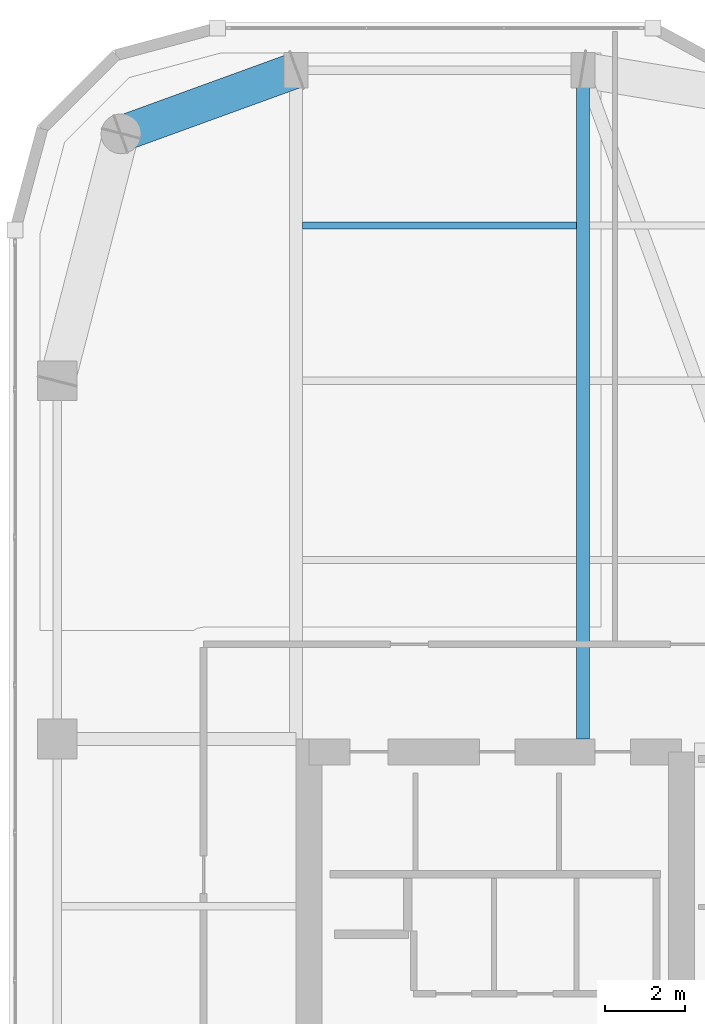
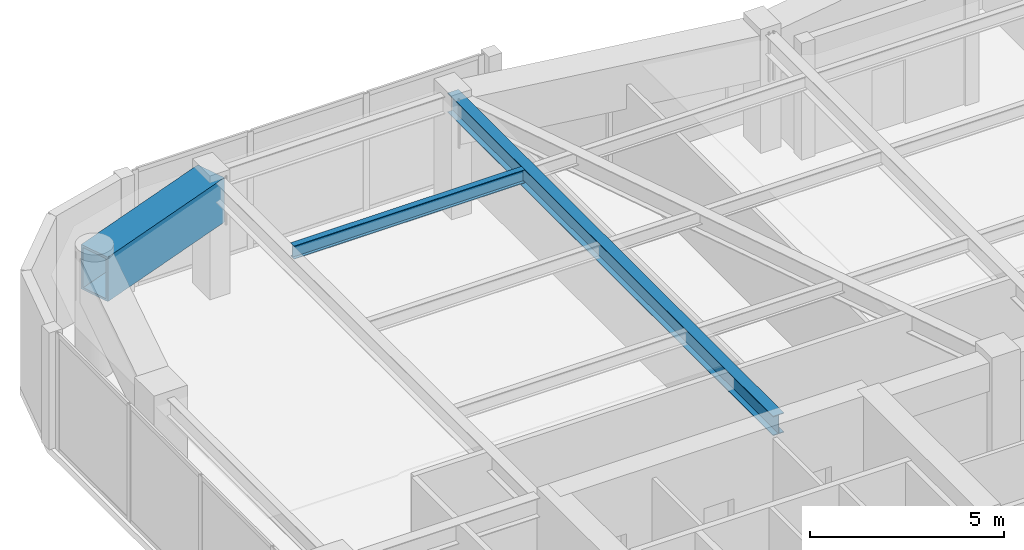
# One storey, part 9 of 21: 3 beams.
"""IFC4 building model written with IfcOpenShell, lengths in metres."""

import ifcopenshell
import ifcopenshell.guid

model = None  # the IFC model being written
_history = None  # IfcOwnerHistory: only IFC2X3 demands one
_inside = {}  # id of a spatial element -> (the spatial element, [elements in it])
_under = {}  # id of a project, library or spatial element -> (it, [spatial elements below it])
_declared = {}  # id of a project -> (the project, [libraries it declares])
_typed = {}  # id of a type object -> (the type object, [elements of that type])
_made_of = {}  # id of a material, layer set ... -> (it, [elements and type objects made of it])


def new_model(schema):
    """Start an empty IFC model of exactly this schema.

    Asked for "IFC4X3", IfcOpenShell would pick the latest addendum, in which some entities
    have other attributes; the version numbers below select the first issue.
    IFC2X3 requires an IfcOwnerHistory on every rooted entity: one is made here for all.
    """
    global model, _history
    if schema == "IFC4X3":
        model = ifcopenshell.file(schema_version=(4, 3, 0, 0))
    else:
        model = ifcopenshell.file(schema=schema)
    _inside.clear()
    _under.clear()
    _declared.clear()
    _typed.clear()
    _made_of.clear()
    _history = None
    if model.schema == "IFC2X3":
        org = make("IfcOrganization", Name="unknown")
        user = make(
            "IfcPersonAndOrganization",
            ThePerson=make("IfcPerson", FamilyName="unknown"),
            TheOrganization=org,
        )
        app = make(
            "IfcApplication",
            ApplicationDeveloper=org,
            Version="unknown",
            ApplicationFullName="unknown",
            ApplicationIdentifier="unknown",
        )
        _history = make(
            "IfcOwnerHistory",
            OwningUser=user,
            OwningApplication=app,
            ChangeAction="ADDED",
            CreationDate=0,
        )
    return model


def make(cls, **values):
    """One entity of the class cls with the attributes given. An attribute that is None is left unset."""
    return model.create_entity(
        cls, **{name: value for name, value in values.items() if value is not None}
    )


def rooted(cls, **values):
    """An entity with a GlobalId (a new one), such as an element, a storey or a relation."""
    return make(cls, GlobalId=ifcopenshell.guid.new(), OwnerHistory=_history, **values)


def si_unit(unit_type, name, prefix=None):
    """IfcSIUnit, for example si_unit("LENGTHUNIT", "METRE", prefix="MILLI")."""
    return make("IfcSIUnit", UnitType=unit_type, Prefix=prefix, Name=name)


def assignment(units):
    """IfcUnitAssignment: the units of a project."""
    return None if units is None else make("IfcUnitAssignment", Units=units)


def point(xyz):
    """IfcCartesianPoint."""
    return None if xyz is None else make("IfcCartesianPoint", Coordinates=xyz)


def direction(xyz):
    """IfcDirection."""
    return None if xyz is None else make("IfcDirection", DirectionRatios=xyz)


def frame(location, z_axis=None, x_axis=None):
    """IfcAxis2Placement3D, a coordinate frame: its origin and axes. An axis left out is left unset."""
    return make(
        "IfcAxis2Placement3D",
        Location=point(location),
        Axis=direction(z_axis),
        RefDirection=direction(x_axis),
    )


def frame_2d(location, x_axis=None):
    """IfcAxis2Placement2D, a coordinate frame in the plane: its origin and x axis."""
    return make(
        "IfcAxis2Placement2D", Location=point(location), RefDirection=direction(x_axis)
    )


def origin():
    """The frame at (0, 0, 0) with its axes left unset."""
    return frame((0.0, 0.0, 0.0))


def origin_2d():
    """The frame at (0, 0) in the plane with its x axis left unset."""
    return frame_2d((0.0, 0.0))


def place(relative_to, where):
    """IfcLocalPlacement: puts the frame where relative to a parent placement (None: the world)."""
    return make(
        "IfcLocalPlacement", PlacementRelTo=relative_to, RelativePlacement=where
    )


def context(
    kind, dimensions, precision=None, world=None, true_north=None, identifier=None
):
    """IfcGeometricRepresentationContext, for example the 3D "Model" context."""
    return make(
        "IfcGeometricRepresentationContext",
        ContextIdentifier=identifier,
        ContextType=kind,
        CoordinateSpaceDimension=dimensions,
        Precision=precision,
        WorldCoordinateSystem=world,
        TrueNorth=true_north,
    )


def subcontext(parent, identifier, kind, view, scale=None):
    """IfcGeometricRepresentationSubContext, for example "Body" below "Model"."""
    return make(
        "IfcGeometricRepresentationSubContext",
        ContextIdentifier=identifier,
        ContextType=kind,
        ParentContext=parent,
        TargetScale=scale,
        TargetView=view,
    )


def project(units=None, contexts=None):
    """IfcProject with its units and contexts."""
    return rooted(
        "IfcProject",
        Name="project",
        RepresentationContexts=contexts,
        UnitsInContext=assignment(units),
    )


def spatial(cls, under=None, at=None, **own):
    """A site, building, storey or space (cls), placed at a placement, below another one or the project."""
    s = rooted(cls, ObjectPlacement=at, **own)
    if under is not None:
        _under.setdefault(under.id(), (under, []))[1].append(s)
    return s


def profile(cls, at=None, kind="AREA", **sizes):
    """A parametric profile (cls). Its sizes go by their IFC names, for example OverallWidth=200.0."""
    return make(cls, ProfileType=kind, Position=at, **sizes)


def hollow_rectangle(**sizes):
    """IfcRectangleHollowProfileDef."""
    return profile("IfcRectangleHollowProfileDef", **sizes)


def i_section(**sizes):
    """IfcIShapeProfileDef."""
    return profile("IfcIShapeProfileDef", **sizes)


def extrude(swept, where, along, depth):
    """IfcExtrudedAreaSolid: the profile swept, set in the frame where, extruded along a direction by depth."""
    return make(
        "IfcExtrudedAreaSolid",
        SweptArea=swept,
        Position=where,
        ExtrudedDirection=direction(along),
        Depth=depth,
    )


def shape(context_of_items, identifier, shape_type, items):
    """IfcShapeRepresentation: the items that make up one representation, for example the "Body"."""
    return make(
        "IfcShapeRepresentation",
        ContextOfItems=context_of_items,
        RepresentationIdentifier=identifier,
        RepresentationType=shape_type,
        Items=items,
    )


def material(Name=None, Category=None):
    """IfcMaterial."""
    return make("IfcMaterial", Name=Name, Category=Category)


def material_profile(
    of_material, cross_section, Name=None, Category=None, Priority=None
):
    """IfcMaterialProfile: a cross section and its material."""
    return make(
        "IfcMaterialProfile",
        Name=Name,
        Material=of_material,
        Profile=cross_section,
        Priority=Priority,
        Category=Category,
    )


def profile_set(profiles, Name=None, composite=None):
    """IfcMaterialProfileSet."""
    return make(
        "IfcMaterialProfileSet",
        Name=Name,
        MaterialProfiles=profiles,
        CompositeProfile=composite,
    )


def made_of(thing, what):
    """Note that an element or type object is made of a material, layer set ...; save() writes the relation."""
    if what is not None:
        _made_of.setdefault(what.id(), (what, []))[1].append(thing)
    return thing


def type_object(cls, material=None, **own):
    """A type object (cls), such as IfcWallType, which elements share."""
    return made_of(rooted(cls, **own), material)


def element(
    cls,
    number,
    at=None,
    inside=None,
    cuts=None,
    type_object=None,
    material=None,
    context=None,
    identifier="Body",
    shape_type=None,
    held_by="IfcProductDefinitionShape",
    body=None,
    shapes=None,
    **own,
):
    """One element of the class cls, such as IfcWall. Its Tag is "e" and its number.

    at: its placement. inside: the storey or other place that contains it. cuts: it is an
    opening in that element (IfcRelVoidsElement). A single representation is given by context,
    identifier, shape_type and body (its items); several are given by shapes. held_by: the class
    of the entity that holds the representations. save() writes the other relations.
    """
    e = rooted(cls, Tag="e%d" % number, ObjectPlacement=at, **own)
    if body is not None:
        shapes = [shape(context, identifier, shape_type, body)]
    if shapes is not None:
        e.Representation = make(held_by, Representations=shapes)
    if inside is not None:
        _inside.setdefault(inside.id(), (inside, []))[1].append(e)
    if cuts is not None:
        rooted(
            "IfcRelVoidsElement", RelatingBuildingElement=cuts, RelatedOpeningElement=e
        )
    if type_object is not None:
        _typed.setdefault(type_object.id(), (type_object, []))[1].append(e)
    return made_of(e, material)


def aggregate(whole, parts):
    """IfcRelAggregates: a whole, such as a stair, and the parts it consists of."""
    return rooted("IfcRelAggregates", RelatingObject=whole, RelatedObjects=parts)


def save(model, path):
    """Write the relations noted so far, then the file.

    IfcRelAggregates (storeys below a building ...), IfcRelContainedInSpatialStructure (elements
    in a storey), IfcRelDefinesByType, IfcRelAssociatesMaterial and IfcRelDeclares: one each for
    every whole, place, type object, material and project.
    """
    for whole, parts in _under.values():
        aggregate(whole, parts)
    for where, things in _inside.values():
        rooted(
            "IfcRelContainedInSpatialStructure",
            RelatedElements=things,
            RelatingStructure=where,
        )
    for kind, things in _typed.values():
        rooted("IfcRelDefinesByType", RelatedObjects=things, RelatingType=kind)
    for what, things in _made_of.values():
        rooted("IfcRelAssociatesMaterial", RelatedObjects=things, RelatingMaterial=what)
    for by, libraries in _declared.values():
        rooted("IfcRelDeclares", RelatingContext=by, RelatedDefinitions=libraries)
    model.write(path)


model = new_model("IFC4")

# Units and contexts
model_context = context("Model", 3, precision=1e-05, world=origin(), true_north=direction((0.0, 1.0)))
body_context = subcontext(model_context, "Body", "Model", "MODEL_VIEW")
ifc_project = project(units=[si_unit("LENGTHUNIT", "METRE"), si_unit("AREAUNIT", "SQUARE_METRE"), si_unit("VOLUMEUNIT", "CUBIC_METRE"), si_unit("PLANEANGLEUNIT", "RADIAN"), si_unit("MASSUNIT", "GRAM", prefix="KILO")], contexts=[model_context])

# Site, building, storey
site_placement = place(None, origin())
site = spatial("IfcSite", under=ifc_project, at=site_placement, CompositionType="ELEMENT")
building_placement = place(site_placement, origin())
building = spatial("IfcBuilding", under=site, at=building_placement, Name="Kiyonajd Concourse Tower", CompositionType="ELEMENT")
storey_placement = place(building_placement, frame((0.0, 0.0, 247.199951171875)))
storey = spatial("IfcBuildingStorey", under=building, at=storey_placement, Name="L62", CompositionType="ELEMENT", Elevation=247.199951171875)

# Beams
ifc_material_1 = material(Name="Steel ASTM A992 Grade 50", Category="steel")
ifc_material_profile_1 = material_profile(ifc_material_1, i_section(OverallWidth=0.180908203125, OverallDepth=0.4169921875, WebThickness=0.010986328125, FlangeThickness=0.018310546875, at=origin_2d()), Name="W410X85")
ifc_profile_set_1 = profile_set([ifc_material_profile_1], Name="Steel ASTM A992 Grade 50")
beam_type_1 = type_object("IfcBeamType", Name="BM-JST-410", PredefinedType="JOIST", material=ifc_profile_set_1)
beam_1_placement = place(storey_placement, frame((32.56201171875, 57.300048828125, 3.471435546875), z_axis=(1.0, 0.0, 0.0), x_axis=(0.0, 1.0, 0.0)))
element("IfcBeam", 1, at=beam_1_placement, inside=storey, type_object=beam_type_1, Name="L62 Secondary Floor Joist", PredefinedType="JOIST", context=body_context, shape_type="SweptSolid", body=[
    extrude(i_section(OverallWidth=0.180908203125, OverallDepth=0.4169921875, WebThickness=0.010986328125, FlangeThickness=0.018310546875, at=origin_2d()), origin(), (0.0, 0.0, 1.0), 6.8759765625),
])
ifc_material_profile_2 = material_profile(ifc_material_1, i_section(OverallWidth=0.323974609375, OverallDepth=0.611083984375, WebThickness=0.0126953125, FlangeThickness=0.01904296875, at=origin_2d()), Name="W610X155")
ifc_profile_set_2 = profile_set([ifc_material_profile_2], Name="Steel ASTM A992 Grade 50")
beam_type_2 = type_object("IfcBeamType", Name="BM-TWR-610B", PredefinedType="BEAM", material=ifc_profile_set_2)
beam_2_placement = place(storey_placement, frame((39.60009765625, 44.39990234375, 3.37451171875), z_axis=(0.0, 1.0, 0.0), x_axis=(-1.0, 0.0, 0.0)))
element("IfcBeam", 2, at=beam_2_placement, inside=storey, type_object=beam_type_2, Name="L62 North Lease Girder", PredefinedType="BEAM", context=body_context, shape_type="SweptSolid", body=[
    extrude(i_section(OverallWidth=0.323974609375, OverallDepth=0.611083984375, WebThickness=0.0126953125, FlangeThickness=0.01904296875, at=origin_2d()), origin(), (0.0, 0.0, 1.0), 16.800048828125),
])
ifc_material_2 = material(Name="Steel ASTM A572 Grade 50", Category="steel")
ifc_material_profile_3 = material_profile(ifc_material_2, hollow_rectangle(XDim=0.89990234375, YDim=1.39990234375, WallThickness=0.070068359375, at=origin_2d()), Name="BOX-1400x900x70")
ifc_profile_set_3 = profile_set([ifc_material_profile_3], Name="Steel ASTM A572 Grade 50")
beam_type_3 = type_object("IfcBeamType", Name="BM-XFER-1400", PredefinedType="BEAM", material=ifc_profile_set_3)
beam_3_placement = place(storey_placement, frame((32.39990234375, 61.199951171875, 2.97998046875), z_axis=(-0.939801036019, -0.341722127901, 0.0), x_axis=(0.341722127901, -0.939801036019, 0.0)))
element("IfcBeam", 3, at=beam_3_placement, inside=storey, type_object=beam_type_3, Name="L62 Perimeter Bundled Tube Spandrel", PredefinedType="BEAM", context=body_context, shape_type="SweptSolid", body=[
    extrude(hollow_rectangle(XDim=0.89990234375, YDim=1.39990234375, WallThickness=0.070068359375, at=origin_2d()), origin(), (0.0, 0.0, 1.0), 4.681640625),
])

save(model, "model.ifc")
